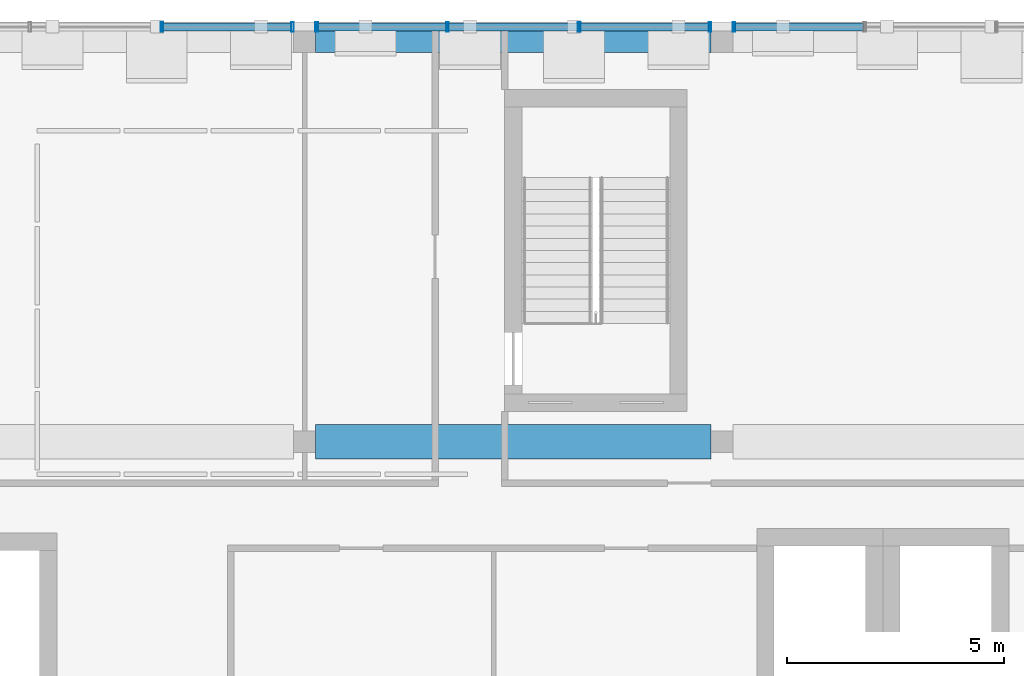
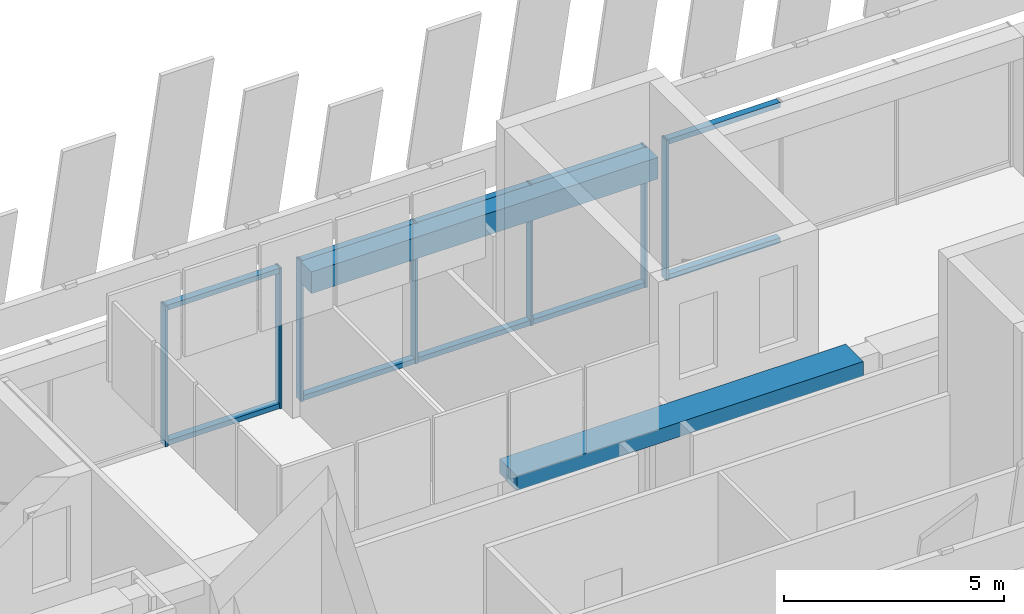
# One storey, part 13 of 26: 17 members, 2 beams, 3 elements without a shape of their own.
"""IFC4 building model written with IfcOpenShell, lengths in metres."""

from ifc_helpers import new_model, si_unit, direction, frame, origin, origin_2d, place, context, subcontext, project, spatial, rectangle, hollow_rectangle, extrude, material, layer, layer_set, material_profile, profile_set, type_object, element, aggregate, save


model = new_model("IFC4")

# Units and contexts
model_context = context("Model", 3, precision=1e-05, world=origin(), true_north=direction((0.0, 1.0)))
body_context = subcontext(model_context, "Body", "Model", "MODEL_VIEW")
ifc_project = project(units=[si_unit("LENGTHUNIT", "METRE"), si_unit("AREAUNIT", "SQUARE_METRE"), si_unit("VOLUMEUNIT", "CUBIC_METRE"), si_unit("PLANEANGLEUNIT", "RADIAN"), si_unit("MASSUNIT", "GRAM", prefix="KILO")], contexts=[model_context])

# Site, building, storey
site_placement = place(None, origin())
site = spatial("IfcSite", under=ifc_project, at=site_placement, CompositionType="ELEMENT")
building_placement = place(site_placement, origin())
building = spatial("IfcBuilding", under=site, at=building_placement, Name="Nzadi Deep Aquarium and Research Tower", CompositionType="ELEMENT")
storey_placement = place(building_placement, frame((0.0, 0.0, 78.10009765625)))
storey = spatial("IfcBuildingStorey", under=building, at=storey_placement, Name="L16", CompositionType="ELEMENT", Elevation=78.10009765625)

# Curtain wall, members
ifc_material_1 = material(Name="Aluminium unitised frame deep", Category="aluminium")
ifc_layer = layer(ifc_material_1, 0.22509765625)
ifc_layer_set = layer_set([ifc_layer], Name="Aluminium unitised frame deep")
curtain_wall_type = type_object("IfcCurtainWallType", Name="Curtain wall Unitised Deep 225", PredefinedType="NOTDEFINED", material=ifc_layer_set)
curtain_wall_1_placement = place(storey_placement, origin())
curtain_wall_1 = element("IfcCurtainWall", 1, at=curtain_wall_1_placement, inside=storey, type_object=curtain_wall_type, Name="Unitised curtain wall blade B north L16", PredefinedType="NOTDEFINED")
ifc_material_2 = material(Name="Aluminium unitised frame deep", Category="aluminium")
ifc_material_profile_1 = material_profile(ifc_material_2, hollow_rectangle(XDim=0.22509765625, YDim=0.06005859375, WallThickness=0.0048828125, at=origin_2d()))
ifc_profile_set_1 = profile_set([ifc_material_profile_1], Name="Aluminium unitised frame deep")
member_type_1 = type_object("IfcMemberType", Name="Mullion 60x225 Unitised Deep", PredefinedType="MULLION", material=ifc_profile_set_1)
member_1_placement = place(storey_placement, frame((15.916748046875, 46.33740234375, 0.0), z_axis=(0.0, 0.0, 1.0), x_axis=(0.0, 1.0, 0.0)))
member_1 = element("IfcMember", 2, at=member_1_placement, type_object=member_type_1, Name="CW197 mullion 3", PredefinedType="MULLION", context=body_context, shape_type="SweptSolid", body=[
    extrude(hollow_rectangle(XDim=0.22509765625, YDim=0.06005859375, WallThickness=0.0048828125, at=origin_2d()), origin(), (0.0, 0.0, 1.0), 3.89990234375),
])
member_2_placement = place(storey_placement, frame((18.919921875, 46.33740234375, 0.0), z_axis=(0.0, 0.0, 1.0), x_axis=(0.0, 1.0, 0.0)))
member_2 = element("IfcMember", 3, at=member_2_placement, type_object=member_type_1, Name="CW197 mullion 4", PredefinedType="MULLION", context=body_context, shape_type="SweptSolid", body=[
    extrude(hollow_rectangle(XDim=0.22509765625, YDim=0.06005859375, WallThickness=0.0048828125, at=origin_2d()), origin(), (0.0, 0.0, 1.0), 3.89990234375),
])

curtain_wall_2_placement = place(storey_placement, origin())
curtain_wall_2 = element("IfcCurtainWall", 4, at=curtain_wall_2_placement, inside=storey, type_object=curtain_wall_type, Name="Unitised curtain wall blade B north L16", PredefinedType="NOTDEFINED")
member_3_placement = place(storey_placement, frame((19.47998046875, 46.33740234375, 0.0), z_axis=(0.0, 0.0, 1.0), x_axis=(0.0, 1.0, 0.0)))
member_3 = element("IfcMember", 5, at=member_3_placement, type_object=member_type_1, Name="CW198 mullion 1", PredefinedType="MULLION", context=body_context, shape_type="SweptSolid", body=[
    extrude(hollow_rectangle(XDim=0.22509765625, YDim=0.06005859375, WallThickness=0.0048828125, at=origin_2d()), origin(), (0.0, 0.0, 1.0), 3.89990234375),
])
member_4_placement = place(storey_placement, frame((22.4833984375, 46.33740234375, 0.0), z_axis=(0.0, 0.0, 1.0), x_axis=(0.0, 1.0, 0.0)))
member_4 = element("IfcMember", 6, at=member_4_placement, type_object=member_type_1, Name="CW198 mullion 2", PredefinedType="MULLION", context=body_context, shape_type="SweptSolid", body=[
    extrude(hollow_rectangle(XDim=0.22509765625, YDim=0.06005859375, WallThickness=0.0048828125, at=origin_2d()), origin(), (0.0, 0.0, 1.0), 3.89990234375),
])
member_5_placement = place(storey_placement, frame((25.5166015625, 46.33740234375, 0.0), z_axis=(0.0, 0.0, 1.0), x_axis=(0.0, 1.0, 0.0)))
member_5 = element("IfcMember", 7, at=member_5_placement, type_object=member_type_1, Name="CW198 mullion 3", PredefinedType="MULLION", context=body_context, shape_type="SweptSolid", body=[
    extrude(hollow_rectangle(XDim=0.22509765625, YDim=0.06005859375, WallThickness=0.0048828125, at=origin_2d()), origin(), (0.0, 0.0, 1.0), 3.89990234375),
])
member_6_placement = place(storey_placement, frame((28.52001953125, 46.33740234375, 0.0), z_axis=(0.0, 0.0, 1.0), x_axis=(0.0, 1.0, 0.0)))
member_6 = element("IfcMember", 8, at=member_6_placement, type_object=member_type_1, Name="CW198 mullion 4", PredefinedType="MULLION", context=body_context, shape_type="SweptSolid", body=[
    extrude(hollow_rectangle(XDim=0.22509765625, YDim=0.06005859375, WallThickness=0.0048828125, at=origin_2d()), origin(), (0.0, 0.0, 1.0), 3.89990234375),
])

# Curtain wall, member
curtain_wall_3_placement = place(storey_placement, origin())
curtain_wall_3 = element("IfcCurtainWall", 9, at=curtain_wall_3_placement, inside=storey, type_object=curtain_wall_type, Name="Unitised curtain wall blade B north L16", PredefinedType="NOTDEFINED")
member_7_placement = place(storey_placement, frame((29.080078125, 46.33740234375, 0.0), z_axis=(0.0, 0.0, 1.0), x_axis=(0.0, 1.0, 0.0)))
member_7 = element("IfcMember", 10, at=member_7_placement, type_object=member_type_1, Name="CW199 mullion 1", PredefinedType="MULLION", context=body_context, shape_type="SweptSolid", body=[
    extrude(hollow_rectangle(XDim=0.22509765625, YDim=0.06005859375, WallThickness=0.0048828125, at=origin_2d()), origin(), (0.0, 0.0, 1.0), 3.89990234375),
])

# Beams
ifc_material_3 = material(Name="Concrete C35/45", Category="concrete")
ifc_material_profile_2 = material_profile(ifc_material_3, rectangle(XDim=0.5, YDim=0.60009765625, at=origin_2d()))
ifc_profile_set_2 = profile_set([ifc_material_profile_2], Name="Concrete C35/45")
beam_type_1 = type_object("IfcBeamType", Name="RC 500x600", PredefinedType="BEAM", material=ifc_profile_set_2)
beam_1_placement = place(storey_placement, frame((19.449951171875, 46.0, 3.599853515625), z_axis=(1.0, 0.0, 0.0), x_axis=(0.0, 1.0, 0.0)))
element("IfcBeam", 11, at=beam_1_placement, inside=storey, type_object=beam_type_1, Name="B-Z1-L16-L6-3", PredefinedType="BEAM", context=body_context, shape_type="SweptSolid", body=[
    extrude(rectangle(XDim=0.5, YDim=0.60009765625, at=origin_2d()), origin(), (0.0, 0.0, 1.0), 9.10009765625),
])
ifc_material_4 = material(Name="Concrete C35/45", Category="concrete")
ifc_material_profile_3 = material_profile(ifc_material_4, rectangle(XDim=0.800048828125, YDim=0.39990234375, at=origin_2d()))
ifc_profile_set_3 = profile_set([ifc_material_profile_3], Name="Concrete C35/45")
beam_type_2 = type_object("IfcBeamType", Name="RC 800x400", PredefinedType="BEAM", material=ifc_profile_set_3)
beam_2_placement = place(storey_placement, frame((19.449951171875, 36.800048828125, 3.699951171875), z_axis=(1.0, 0.0, 0.0), x_axis=(0.0, 1.0, 0.0)))
element("IfcBeam", 12, at=beam_2_placement, inside=storey, type_object=beam_type_2, Name="B-Z1-L16-L5-3", PredefinedType="BEAM", context=body_context, shape_type="SweptSolid", body=[
    extrude(rectangle(XDim=0.800048828125, YDim=0.39990234375, at=origin_2d()), origin(), (0.0, 0.0, 1.0), 9.10009765625),
])

# Member
ifc_material_5 = material(Name="Aluminium unitised frame deep", Category="aluminium")
ifc_material_profile_4 = material_profile(ifc_material_5, hollow_rectangle(XDim=0.179931640625, YDim=0.139892578125, WallThickness=0.0048828125, at=origin_2d()))
ifc_profile_set_4 = profile_set([ifc_material_profile_4], Name="Aluminium unitised frame deep")
member_type_2 = type_object("IfcMemberType", Name="Transom 140x180 Unitised Deep", PredefinedType="MULLION", material=ifc_profile_set_4)
member_8_placement = place(storey_placement, frame((15.94677734375, 46.33740234375, 0.06982421875), z_axis=(1.0, 0.0, 0.0), x_axis=(0.0, 1.0, 0.0)))
member_8 = element("IfcMember", 13, at=member_8_placement, type_object=member_type_2, Name="CW197 transom 3.1", PredefinedType="MULLION", context=body_context, shape_type="SweptSolid", body=[
    extrude(hollow_rectangle(XDim=0.179931640625, YDim=0.139892578125, WallThickness=0.0048828125, at=origin_2d()), origin(), (0.0, 0.0, 1.0), 2.943115234375),
])

member_9_placement = place(storey_placement, frame((15.94677734375, 46.33740234375, 3.829833984375), z_axis=(1.0, 0.0, 0.0), x_axis=(0.0, 1.0, 0.0)))
member_9 = element("IfcMember", 14, at=member_9_placement, type_object=member_type_2, Name="CW197 transom 3.2", PredefinedType="MULLION", context=body_context, shape_type="SweptSolid", body=[
    extrude(hollow_rectangle(XDim=0.179931640625, YDim=0.139892578125, WallThickness=0.0048828125, at=origin_2d()), origin(), (0.0, 0.0, 1.0), 2.943115234375),
])

aggregate(curtain_wall_1, [member_1, member_2, member_8, member_9])

member_10_placement = place(storey_placement, frame((19.510009765625, 46.33740234375, 0.06982421875), z_axis=(1.0, 0.0, 0.0), x_axis=(0.0, 1.0, 0.0)))
member_10 = element("IfcMember", 15, at=member_10_placement, type_object=member_type_2, Name="CW198 transom 1.1", PredefinedType="MULLION", context=body_context, shape_type="SweptSolid", body=[
    extrude(hollow_rectangle(XDim=0.179931640625, YDim=0.139892578125, WallThickness=0.0048828125, at=origin_2d()), origin(), (0.0, 0.0, 1.0), 2.943359375),
])

member_11_placement = place(storey_placement, frame((19.510009765625, 46.33740234375, 3.829833984375), z_axis=(1.0, 0.0, 0.0), x_axis=(0.0, 1.0, 0.0)))
member_11 = element("IfcMember", 16, at=member_11_placement, type_object=member_type_2, Name="CW198 transom 1.2", PredefinedType="MULLION", context=body_context, shape_type="SweptSolid", body=[
    extrude(hollow_rectangle(XDim=0.179931640625, YDim=0.139892578125, WallThickness=0.0048828125, at=origin_2d()), origin(), (0.0, 0.0, 1.0), 2.943359375),
])

member_12_placement = place(storey_placement, frame((22.513427734375, 46.33740234375, 0.06982421875), z_axis=(1.0, 0.0, 0.0), x_axis=(0.0, 1.0, 0.0)))
member_12 = element("IfcMember", 17, at=member_12_placement, type_object=member_type_2, Name="CW198 transom 2.1", PredefinedType="MULLION", context=body_context, shape_type="SweptSolid", body=[
    extrude(hollow_rectangle(XDim=0.179931640625, YDim=0.139892578125, WallThickness=0.0048828125, at=origin_2d()), origin(), (0.0, 0.0, 1.0), 2.97314453125),
])

member_13_placement = place(storey_placement, frame((22.513427734375, 46.33740234375, 3.829833984375), z_axis=(1.0, 0.0, 0.0), x_axis=(0.0, 1.0, 0.0)))
member_13 = element("IfcMember", 18, at=member_13_placement, type_object=member_type_2, Name="CW198 transom 2.2", PredefinedType="MULLION", context=body_context, shape_type="SweptSolid", body=[
    extrude(hollow_rectangle(XDim=0.179931640625, YDim=0.139892578125, WallThickness=0.0048828125, at=origin_2d()), origin(), (0.0, 0.0, 1.0), 2.97314453125),
])

member_14_placement = place(storey_placement, frame((25.546630859375, 46.33740234375, 0.06982421875), z_axis=(1.0, 0.0, 0.0), x_axis=(0.0, 1.0, 0.0)))
member_14 = element("IfcMember", 19, at=member_14_placement, type_object=member_type_2, Name="CW198 transom 3.1", PredefinedType="MULLION", context=body_context, shape_type="SweptSolid", body=[
    extrude(hollow_rectangle(XDim=0.179931640625, YDim=0.139892578125, WallThickness=0.0048828125, at=origin_2d()), origin(), (0.0, 0.0, 1.0), 2.943359375),
])

member_15_placement = place(storey_placement, frame((25.546630859375, 46.33740234375, 3.829833984375), z_axis=(1.0, 0.0, 0.0), x_axis=(0.0, 1.0, 0.0)))
member_15 = element("IfcMember", 20, at=member_15_placement, type_object=member_type_2, Name="CW198 transom 3.2", PredefinedType="MULLION", context=body_context, shape_type="SweptSolid", body=[
    extrude(hollow_rectangle(XDim=0.179931640625, YDim=0.139892578125, WallThickness=0.0048828125, at=origin_2d()), origin(), (0.0, 0.0, 1.0), 2.943359375),
])

aggregate(curtain_wall_2, [member_3, member_4, member_5, member_6, member_10, member_11, member_12, member_13, member_14, member_15])

member_16_placement = place(storey_placement, frame((29.110107421875, 46.33740234375, 0.06982421875), z_axis=(1.0, 0.0, 0.0), x_axis=(0.0, 1.0, 0.0)))
member_16 = element("IfcMember", 21, at=member_16_placement, type_object=member_type_2, Name="CW199 transom 1.1", PredefinedType="MULLION", context=body_context, shape_type="SweptSolid", body=[
    extrude(hollow_rectangle(XDim=0.179931640625, YDim=0.139892578125, WallThickness=0.0048828125, at=origin_2d()), origin(), (0.0, 0.0, 1.0), 2.943115234375),
])

member_17_placement = place(storey_placement, frame((29.110107421875, 46.33740234375, 3.829833984375), z_axis=(1.0, 0.0, 0.0), x_axis=(0.0, 1.0, 0.0)))
member_17 = element("IfcMember", 22, at=member_17_placement, type_object=member_type_2, Name="CW199 transom 1.2", PredefinedType="MULLION", context=body_context, shape_type="SweptSolid", body=[
    extrude(hollow_rectangle(XDim=0.179931640625, YDim=0.139892578125, WallThickness=0.0048828125, at=origin_2d()), origin(), (0.0, 0.0, 1.0), 2.943115234375),
])

aggregate(curtain_wall_3, [member_7, member_16, member_17])

save(model, "model.ifc")
